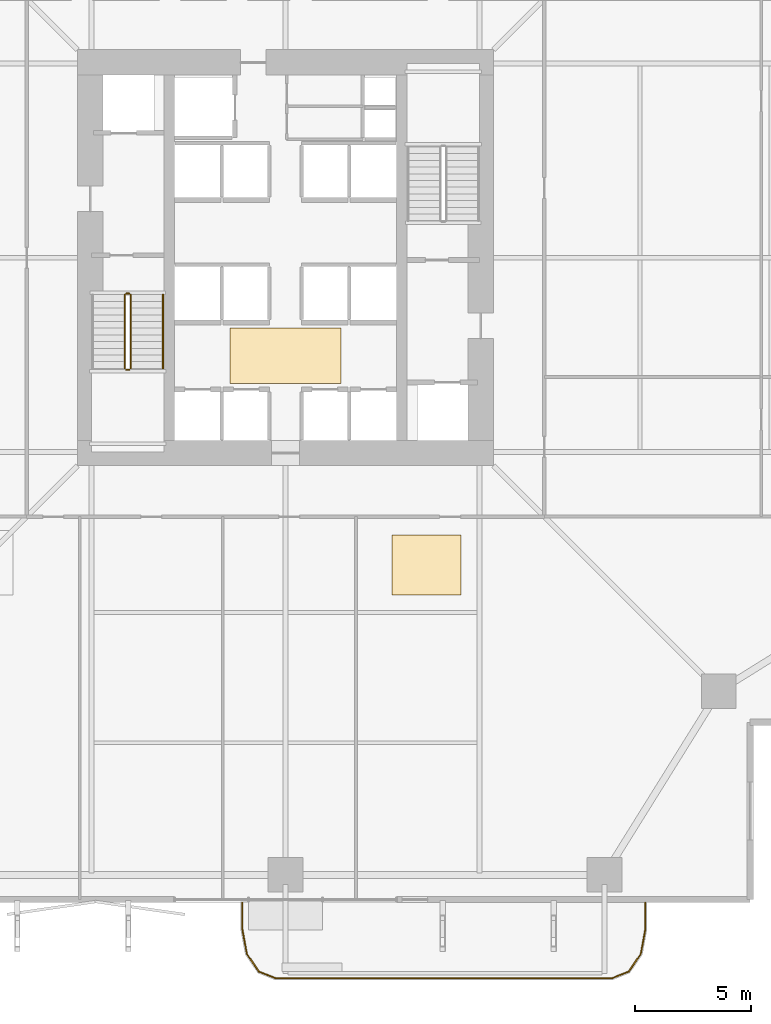
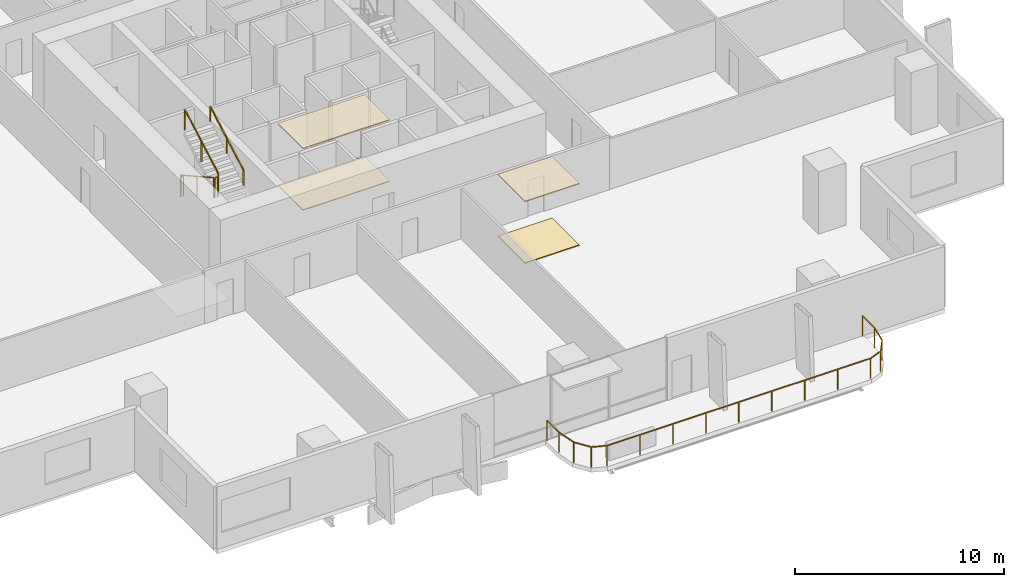
# One storey, part 22 of 24: 6 railings, 4 coverings.
"""IFC4 building model written with IfcOpenShell, lengths in metres."""

from ifc_helpers import new_model, si_unit, direction, frame, origin, origin_2d, place, context, subcontext, project, spatial, polyline, rectangle, outline, extrude, material, layer, layer_set, type_object, element, save


model = new_model("IFC4")

# Units and contexts
model_context = context("Model", 3, precision=1e-05, world=origin(), true_north=direction((0.0, 1.0)))
body_context = subcontext(model_context, "Body", "Model", "MODEL_VIEW")
ifc_project = project(units=[si_unit("LENGTHUNIT", "METRE"), si_unit("AREAUNIT", "SQUARE_METRE"), si_unit("VOLUMEUNIT", "CUBIC_METRE"), si_unit("PLANEANGLEUNIT", "RADIAN"), si_unit("MASSUNIT", "GRAM", prefix="KILO")], contexts=[model_context])

# Site, building, storey
site_placement = place(None, origin())
site = spatial("IfcSite", under=ifc_project, at=site_placement, CompositionType="ELEMENT")
building_placement = place(site_placement, origin())
building = spatial("IfcBuilding", under=site, at=building_placement, Name="Belovzor Exchange Tower", CompositionType="ELEMENT")
storey_placement = place(building_placement, frame((0.0, 0.0, 69.0)))
storey = spatial("IfcBuildingStorey", under=building, at=storey_placement, Name="L16", CompositionType="ELEMENT", Elevation=69.0)

# Railings
ifc_material_1 = material(Name="Stainless Steel Grade 304", Category="steel")
railing_type_1 = type_object("IfcRailingType", Name="Brushed Stainless Steel Stair Handrail 900", PredefinedType="HANDRAIL", material=ifc_material_1)
railing_1_placement = place(storey_placement, frame((23.5, 24.010009765625, 2.112548828125)))
element("IfcRailing", 1, at=railing_1_placement, inside=storey, type_object=railing_type_1, Name="L16 ST-1 stair handrail 2", PredefinedType="HANDRAIL", context=body_context, shape_type="SweptSolid", body=[
    extrude(rectangle(XDim=0.048095703125, YDim=0.048095703125, at=origin_2d()), frame((0.0, 0.0, 0.8759765625), z_axis=(0.0, 0.872390997893, 0.488808701636), x_axis=(-1.0, 0.0, 0.0)), (0.0, 0.0, 1.0), 3.656494140625),
    extrude(rectangle(XDim=0.0419921875, YDim=0.0419921875, at=origin_2d()), origin(), (0.0, 0.0, 1.0), 0.851806640625),
    extrude(rectangle(XDim=0.0419921875, YDim=0.0419921875, at=origin_2d()), frame((0.0, 1.594970703125, 0.8935546875)), (0.0, 0.0, 1.0), 0.851806640625),
    extrude(rectangle(XDim=0.0419921875, YDim=0.0419921875, at=origin_2d()), frame((0.0, 3.18994140625, 1.787353515625)), (0.0, 0.0, 1.0), 0.851806640625),
])
ifc_material_2 = material(Name="Stainless Steel and Laminated Safety Glass", Category="steel")
railing_type_2 = type_object("IfcRailingType", Name="Laminated Glass & Stainless Steel Balcony Balustrade 1200", PredefinedType="BALUSTRADE", material=ifc_material_2)
railing_2_placement = place(storey_placement, frame((26.929931640625, 0.889892578125, 0.0)))
element("IfcRailing", 2, at=railing_2_placement, inside=storey, type_object=railing_type_2, Name="GR-1 Balcony Balustrade L16 South", PredefinedType="BALUSTRADE", context=body_context, shape_type="SweptSolid", body=[
    extrude(rectangle(XDim=0.048095703125, YDim=0.048095703125, at=origin_2d()), frame((0.0, 0.0, 1.17578125), z_axis=(0.0, -1.0, 0.0), x_axis=(1.0, 0.0, 0.0)), (0.0, 0.0, 1.0), 1.1328125),
    extrude(rectangle(XDim=0.048095703125, YDim=0.048095703125, at=origin_2d()), frame((0.0, -1.1328125, 1.17578125), z_axis=(0.180083182347, -0.983651385113, 0.0), x_axis=(0.983651385113, 0.180083182347, 0.0)), (0.0, 0.0, 1.0), 1.093994140625),
    extrude(rectangle(XDim=0.048095703125, YDim=0.048095703125, at=origin_2d()), frame((0.197021484375, -2.208984375, 1.17578125), z_axis=(0.56294695933, -0.826493025367, 0.0), x_axis=(0.826493025367, 0.56294695933, 0.0)), (0.0, 0.0, 1.0), 0.932861328125),
    extrude(rectangle(XDim=0.048095703125, YDim=0.048095703125, at=origin_2d()), frame((0.72216796875, -2.97998046875, 1.17578125), z_axis=(0.930766990125, -0.365612923861, 0.0), x_axis=(0.365612923861, 0.930766990125, 0.0)), (0.0, 0.0, 1.0), 0.765869140625),
    extrude(rectangle(XDim=0.048095703125, YDim=0.048095703125, at=origin_2d()), frame((1.43505859375, -3.260009765625, 1.17578125), z_axis=(1.0, 0.0, 0.0), x_axis=(0.0, 1.0, 0.0)), (0.0, 0.0, 1.0), 14.570068359375),
    extrude(rectangle(XDim=0.048095703125, YDim=0.048095703125, at=origin_2d()), frame((16.005126953125, -3.260009765625, 1.17578125), z_axis=(0.930766990125, 0.365612923861, 0.0), x_axis=(-0.365612923861, 0.930766990125, 0.0)), (0.0, 0.0, 1.0), 0.765869140625),
    extrude(rectangle(XDim=0.048095703125, YDim=0.048095703125, at=origin_2d()), frame((16.718017578125, -2.97998046875, 1.17578125), z_axis=(0.56294695933, 0.826493025367, 0.0), x_axis=(-0.826493025367, 0.56294695933, 0.0)), (0.0, 0.0, 1.0), 0.932861328125),
    extrude(rectangle(XDim=0.048095703125, YDim=0.048095703125, at=origin_2d()), frame((17.2431640625, -2.208984375, 1.17578125), z_axis=(0.180083182347, 0.983651385113, 0.0), x_axis=(-0.983651385113, 0.180083182347, 0.0)), (0.0, 0.0, 1.0), 1.093994140625),
    extrude(rectangle(XDim=0.048095703125, YDim=0.048095703125, at=origin_2d()), frame((17.440185546875, -1.1328125, 1.17578125), z_axis=(0.0, 1.0, 0.0), x_axis=(-1.0, 0.0, 0.0)), (0.0, 0.0, 1.0), 1.1328125),
    extrude(rectangle(XDim=0.0419921875, YDim=0.0419921875, at=origin_2d()), origin(), (0.0, 0.0, 1.0), 1.15185546875),
    extrude(rectangle(XDim=0.0419921875, YDim=0.0419921875, at=origin_2d()), frame((0.0, -1.1328125, 0.0)), (0.0, 0.0, 1.0), 1.15185546875),
    extrude(rectangle(XDim=0.0419921875, YDim=0.0419921875, at=origin_2d()), frame((0.197021484375, -2.208984375, 0.0)), (0.0, 0.0, 1.0), 1.15185546875),
    extrude(rectangle(XDim=0.0419921875, YDim=0.0419921875, at=origin_2d()), frame((0.72216796875, -2.97998046875, 0.0)), (0.0, 0.0, 1.0), 1.15185546875),
    extrude(rectangle(XDim=0.0419921875, YDim=0.0419921875, at=origin_2d()), frame((1.43505859375, -3.260009765625, 0.0)), (0.0, 0.0, 1.0), 1.15185546875),
    extrude(rectangle(XDim=0.0419921875, YDim=0.0419921875, at=origin_2d()), frame((3.25634765625, -3.260009765625, 0.0)), (0.0, 0.0, 1.0), 1.15185546875),
    extrude(rectangle(XDim=0.0419921875, YDim=0.0419921875, at=origin_2d()), frame((5.07763671875, -3.260009765625, 0.0)), (0.0, 0.0, 1.0), 1.15185546875),
    extrude(rectangle(XDim=0.0419921875, YDim=0.0419921875, at=origin_2d()), frame((6.89892578125, -3.260009765625, 0.0)), (0.0, 0.0, 1.0), 1.15185546875),
    extrude(rectangle(XDim=0.0419921875, YDim=0.0419921875, at=origin_2d()), frame((8.72021484375, -3.260009765625, 0.0)), (0.0, 0.0, 1.0), 1.15185546875),
    extrude(rectangle(XDim=0.0419921875, YDim=0.0419921875, at=origin_2d()), frame((10.541259765625, -3.260009765625, 0.0)), (0.0, 0.0, 1.0), 1.15185546875),
    extrude(rectangle(XDim=0.0419921875, YDim=0.0419921875, at=origin_2d()), frame((12.362548828125, -3.260009765625, 0.0)), (0.0, 0.0, 1.0), 1.15185546875),
    extrude(rectangle(XDim=0.0419921875, YDim=0.0419921875, at=origin_2d()), frame((14.183837890625, -3.260009765625, 0.0)), (0.0, 0.0, 1.0), 1.15185546875),
    extrude(rectangle(XDim=0.0419921875, YDim=0.0419921875, at=origin_2d()), frame((16.005126953125, -3.260009765625, 0.0)), (0.0, 0.0, 1.0), 1.15185546875),
    extrude(rectangle(XDim=0.0419921875, YDim=0.0419921875, at=origin_2d()), frame((16.718017578125, -2.97998046875, 0.0)), (0.0, 0.0, 1.0), 1.15185546875),
    extrude(rectangle(XDim=0.0419921875, YDim=0.0419921875, at=origin_2d()), frame((17.2431640625, -2.208984375, 0.0)), (0.0, 0.0, 1.0), 1.15185546875),
    extrude(rectangle(XDim=0.0419921875, YDim=0.0419921875, at=origin_2d()), frame((17.440185546875, -1.1328125, 0.0)), (0.0, 0.0, 1.0), 1.15185546875),
    extrude(rectangle(XDim=0.0419921875, YDim=0.0419921875, at=origin_2d()), frame((17.440185546875, 0.0, 0.0)), (0.0, 0.0, 1.0), 1.15185546875),
])
ifc_material_3 = material(Name="Steel S355", Category="steel")
railing_type_3 = type_object("IfcRailingType", Name="Painted Steel Stairwell Guardrail 1200", PredefinedType="GUARDRAIL", material=ifc_material_3)
railing_3_placement = place(storey_placement, frame((21.85009765625, 27.199951171875, 0.16259765625)))
element("IfcRailing", 3, at=railing_3_placement, inside=storey, type_object=railing_type_3, Name="L16 ST-1 stair guard 1", PredefinedType="GUARDRAIL", context=body_context, shape_type="SweptSolid", body=[
    extrude(rectangle(XDim=0.048095703125, YDim=0.048095703125, at=origin_2d()), frame((0.0, 0.0, 1.17578125), z_axis=(0.0, -0.872390997893, 0.488808701636), x_axis=(1.0, 0.0, 0.0)), (0.0, 0.0, 1.0), 3.656494140625),
    extrude(rectangle(XDim=0.0419921875, YDim=0.0419921875, at=origin_2d()), origin(), (0.0, 0.0, 1.0), 1.15185546875),
    extrude(rectangle(XDim=0.0419921875, YDim=0.0419921875, at=origin_2d()), frame((0.0, -1.594970703125, 0.8935546875)), (0.0, 0.0, 1.0), 1.15185546875),
    extrude(rectangle(XDim=0.0419921875, YDim=0.0419921875, at=origin_2d()), frame((0.0, -3.18994140625, 1.787353515625)), (0.0, 0.0, 1.0), 1.15185546875),
])
railing_4_placement = place(storey_placement, frame((21.89990234375, 23.9599609375, 1.949951171875)))
element("IfcRailing", 4, at=railing_4_placement, inside=storey, type_object=railing_type_3, Name="L16 ST-1 stair guard 2", PredefinedType="GUARDRAIL", context=body_context, shape_type="SweptSolid", body=[
    extrude(rectangle(XDim=0.048095703125, YDim=0.048095703125, at=origin_2d()), frame((0.0, 0.0, 1.17578125), z_axis=(1.0, 0.0, 0.0), x_axis=(0.0, 1.0, 0.0)), (0.0, 0.0, 1.0), 0.150146484375),
    extrude(rectangle(XDim=0.0419921875, YDim=0.0419921875, at=origin_2d()), origin(), (0.0, 0.0, 1.0), 1.15185546875),
    extrude(rectangle(XDim=0.0419921875, YDim=0.0419921875, at=origin_2d()), frame((0.150146484375, 0.0, 0.0)), (0.0, 0.0, 1.0), 1.15185546875),
])
railing_5_placement = place(storey_placement, frame((22.10009765625, 24.010009765625, 2.112548828125)))
element("IfcRailing", 5, at=railing_5_placement, inside=storey, type_object=railing_type_3, Name="L16 ST-1 stair guard 3", PredefinedType="GUARDRAIL", context=body_context, shape_type="SweptSolid", body=[
    extrude(rectangle(XDim=0.048095703125, YDim=0.048095703125, at=origin_2d()), frame((0.0, 0.0, 1.17578125), z_axis=(0.0, 0.872390997893, 0.488808701636), x_axis=(-1.0, 0.0, 0.0)), (0.0, 0.0, 1.0), 3.656494140625),
    extrude(rectangle(XDim=0.0419921875, YDim=0.0419921875, at=origin_2d()), origin(), (0.0, 0.0, 1.0), 1.15185546875),
    extrude(rectangle(XDim=0.0419921875, YDim=0.0419921875, at=origin_2d()), frame((0.0, 1.594970703125, 0.8935546875)), (0.0, 0.0, 1.0), 1.15185546875),
    extrude(rectangle(XDim=0.0419921875, YDim=0.0419921875, at=origin_2d()), frame((0.0, 3.18994140625, 1.787353515625)), (0.0, 0.0, 1.0), 1.15185546875),
])
railing_6_placement = place(storey_placement, frame((21.89990234375, 27.25, 0.0)))
element("IfcRailing", 6, at=railing_6_placement, inside=storey, type_object=railing_type_3, Name="L16 ST-1 stair guard 4", PredefinedType="GUARDRAIL", context=body_context, shape_type="SweptSolid", body=[
    extrude(rectangle(XDim=0.048095703125, YDim=0.048095703125, at=origin_2d()), frame((0.0, 0.0, 1.17578125), z_axis=(1.0, 0.0, 0.0), x_axis=(0.0, 1.0, 0.0)), (0.0, 0.0, 1.0), 0.150146484375),
    extrude(rectangle(XDim=0.0419921875, YDim=0.0419921875, at=origin_2d()), origin(), (0.0, 0.0, 1.0), 1.15185546875),
    extrude(rectangle(XDim=0.0419921875, YDim=0.0419921875, at=origin_2d()), frame((0.150146484375, 0.0, 0.0)), (0.0, 0.0, 1.0), 1.15185546875),
])

# Coverings
ifc_material_4 = material(Name="Perforated Powder-Coated Aluminium", Category="aluminium")
ifc_layer_1 = layer(ifc_material_4, 0.06005859375)
ifc_layer_set_1 = layer_set([ifc_layer_1], Name="Perforated Powder-Coated Aluminium")
covering_type_1 = type_object("IfcCoveringType", Name="Perforated Acoustic Metal Tile Suspended Ceiling 60", PredefinedType="CEILING", material=ifc_layer_set_1)
covering_1_placement = place(storey_placement, frame((0.0, 0.0, 3.590087890625)))
element("IfcCovering", 7, at=covering_1_placement, inside=storey, type_object=covering_type_1, Name="CLG-AC60 Suspended Ceiling CLG-L16-LOB", PredefinedType="CEILING", context=body_context, shape_type="SweptSolid", body=[
    extrude(outline(polyline([(26.39990234375, 23.35009765625), (31.199951171875, 23.35009765625), (31.199951171875, 25.75), (26.39990234375, 25.75), (26.39990234375, 23.35009765625)])), origin(), (0.0, 0.0, 1.0), 0.059814453125),
])
covering_2_placement = place(storey_placement, frame((0.0, 0.0, 3.590087890625)))
element("IfcCovering", 8, at=covering_2_placement, inside=storey, type_object=covering_type_1, Name="CLG-AC60 Suspended Ceiling CLG-L16-Z1", PredefinedType="CEILING", context=body_context, shape_type="SweptSolid", body=[
    extrude(outline(polyline([(33.39990234375, 14.199951171875), (36.39990234375, 14.199951171875), (36.39990234375, 16.800048828125), (33.39990234375, 16.800048828125), (33.39990234375, 14.199951171875)])), origin(), (0.0, 0.0, 1.0), 0.059814453125),
])
ifc_material_5 = material(Name="Polished Natural Granite Tile", Category="masonry")
ifc_layer_2 = layer(ifc_material_5, 0.050048828125)
ifc_layer_set_2 = layer_set([ifc_layer_2], Name="Polished Natural Granite Tile")
covering_type_2 = type_object("IfcCoveringType", Name="Polished Karelian Granite & Raised Access Floor Finish 50", PredefinedType="FLOORING", material=ifc_layer_set_2)
covering_3_placement = place(storey_placement, origin())
element("IfcCovering", 9, at=covering_3_placement, inside=storey, type_object=covering_type_2, Name="FLR-GR50 Floor Finish FLR-L16-LOB", PredefinedType="FLOORING", context=body_context, shape_type="SweptSolid", body=[
    extrude(outline(polyline([(26.39990234375, 23.35009765625), (31.199951171875, 23.35009765625), (31.199951171875, 25.75), (26.39990234375, 25.75), (26.39990234375, 23.35009765625)])), origin(), (0.0, 0.0, 1.0), 0.050048828125),
])
covering_4_placement = place(storey_placement, origin())
element("IfcCovering", 10, at=covering_4_placement, inside=storey, type_object=covering_type_2, Name="FLR-GR50 Floor Finish FLR-L16-Z1", PredefinedType="FLOORING", context=body_context, shape_type="SweptSolid", body=[
    extrude(outline(polyline([(33.39990234375, 14.199951171875), (36.39990234375, 14.199951171875), (36.39990234375, 16.800048828125), (33.39990234375, 16.800048828125), (33.39990234375, 14.199951171875)])), origin(), (0.0, 0.0, 1.0), 0.050048828125),
])

save(model, "model.ifc")
